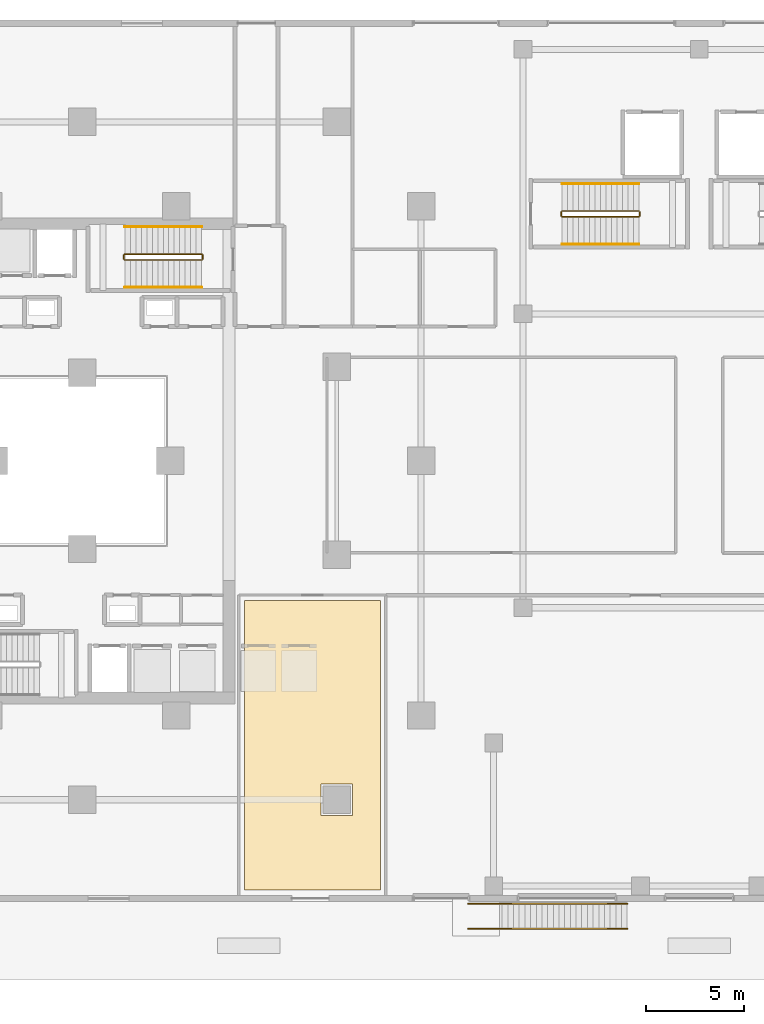
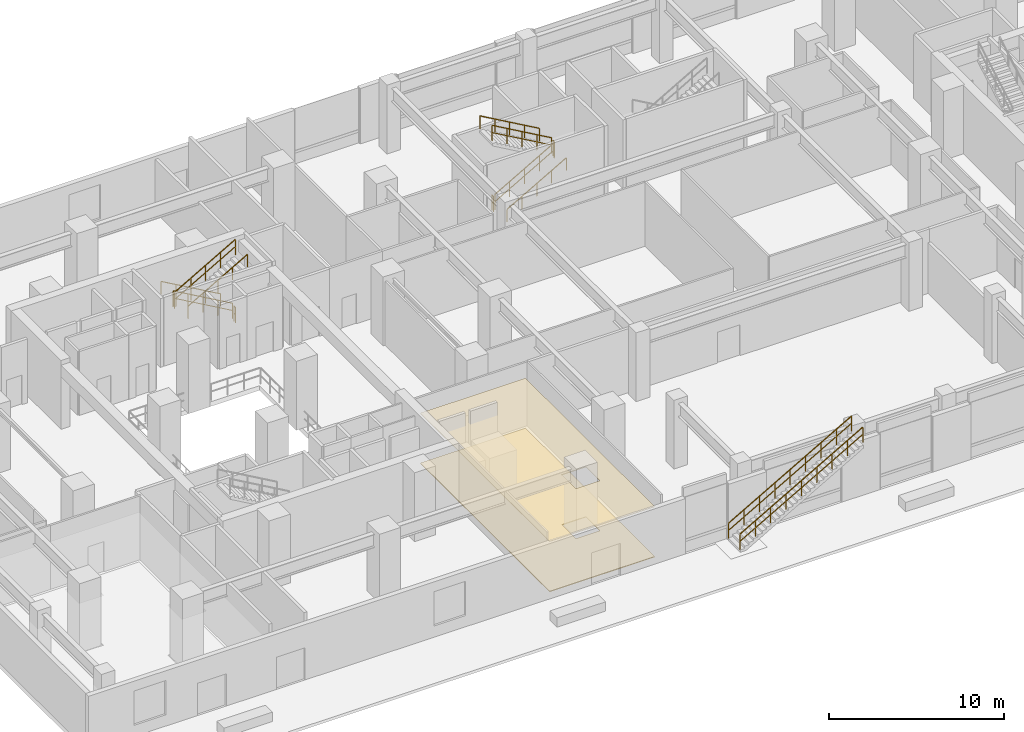
# One storey, part 21 of 24: 14 railings, 2 coverings.
"""IFC4 building model written with IfcOpenShell, lengths in metres."""

import ifcopenshell
import ifcopenshell.guid

model = None  # the IFC model being written
_history = None  # IfcOwnerHistory: only IFC2X3 demands one
_inside = {}  # id of a spatial element -> (the spatial element, [elements in it])
_under = {}  # id of a project, library or spatial element -> (it, [spatial elements below it])
_declared = {}  # id of a project -> (the project, [libraries it declares])
_typed = {}  # id of a type object -> (the type object, [elements of that type])
_made_of = {}  # id of a material, layer set ... -> (it, [elements and type objects made of it])


def new_model(schema):
    """Start an empty IFC model of exactly this schema.

    Asked for "IFC4X3", IfcOpenShell would pick the latest addendum, in which some entities
    have other attributes; the version numbers below select the first issue.
    IFC2X3 requires an IfcOwnerHistory on every rooted entity: one is made here for all.
    """
    global model, _history
    if schema == "IFC4X3":
        model = ifcopenshell.file(schema_version=(4, 3, 0, 0))
    else:
        model = ifcopenshell.file(schema=schema)
    _inside.clear()
    _under.clear()
    _declared.clear()
    _typed.clear()
    _made_of.clear()
    _history = None
    if model.schema == "IFC2X3":
        org = make("IfcOrganization", Name="unknown")
        user = make(
            "IfcPersonAndOrganization",
            ThePerson=make("IfcPerson", FamilyName="unknown"),
            TheOrganization=org,
        )
        app = make(
            "IfcApplication",
            ApplicationDeveloper=org,
            Version="unknown",
            ApplicationFullName="unknown",
            ApplicationIdentifier="unknown",
        )
        _history = make(
            "IfcOwnerHistory",
            OwningUser=user,
            OwningApplication=app,
            ChangeAction="ADDED",
            CreationDate=0,
        )
    return model


def make(cls, **values):
    """One entity of the class cls with the attributes given. An attribute that is None is left unset."""
    return model.create_entity(
        cls, **{name: value for name, value in values.items() if value is not None}
    )


def rooted(cls, **values):
    """An entity with a GlobalId (a new one), such as an element, a storey or a relation."""
    return make(cls, GlobalId=ifcopenshell.guid.new(), OwnerHistory=_history, **values)


def si_unit(unit_type, name, prefix=None):
    """IfcSIUnit, for example si_unit("LENGTHUNIT", "METRE", prefix="MILLI")."""
    return make("IfcSIUnit", UnitType=unit_type, Prefix=prefix, Name=name)


def assignment(units):
    """IfcUnitAssignment: the units of a project."""
    return None if units is None else make("IfcUnitAssignment", Units=units)


def point(xyz):
    """IfcCartesianPoint."""
    return None if xyz is None else make("IfcCartesianPoint", Coordinates=xyz)


def direction(xyz):
    """IfcDirection."""
    return None if xyz is None else make("IfcDirection", DirectionRatios=xyz)


def frame(location, z_axis=None, x_axis=None):
    """IfcAxis2Placement3D, a coordinate frame: its origin and axes. An axis left out is left unset."""
    return make(
        "IfcAxis2Placement3D",
        Location=point(location),
        Axis=direction(z_axis),
        RefDirection=direction(x_axis),
    )


def frame_2d(location, x_axis=None):
    """IfcAxis2Placement2D, a coordinate frame in the plane: its origin and x axis."""
    return make(
        "IfcAxis2Placement2D", Location=point(location), RefDirection=direction(x_axis)
    )


def origin():
    """The frame at (0, 0, 0) with its axes left unset."""
    return frame((0.0, 0.0, 0.0))


def origin_2d():
    """The frame at (0, 0) in the plane with its x axis left unset."""
    return frame_2d((0.0, 0.0))


def place(relative_to, where):
    """IfcLocalPlacement: puts the frame where relative to a parent placement (None: the world)."""
    return make(
        "IfcLocalPlacement", PlacementRelTo=relative_to, RelativePlacement=where
    )


def context(
    kind, dimensions, precision=None, world=None, true_north=None, identifier=None
):
    """IfcGeometricRepresentationContext, for example the 3D "Model" context."""
    return make(
        "IfcGeometricRepresentationContext",
        ContextIdentifier=identifier,
        ContextType=kind,
        CoordinateSpaceDimension=dimensions,
        Precision=precision,
        WorldCoordinateSystem=world,
        TrueNorth=true_north,
    )


def subcontext(parent, identifier, kind, view, scale=None):
    """IfcGeometricRepresentationSubContext, for example "Body" below "Model"."""
    return make(
        "IfcGeometricRepresentationSubContext",
        ContextIdentifier=identifier,
        ContextType=kind,
        ParentContext=parent,
        TargetScale=scale,
        TargetView=view,
    )


def project(units=None, contexts=None):
    """IfcProject with its units and contexts."""
    return rooted(
        "IfcProject",
        Name="project",
        RepresentationContexts=contexts,
        UnitsInContext=assignment(units),
    )


def spatial(cls, under=None, at=None, **own):
    """A site, building, storey or space (cls), placed at a placement, below another one or the project."""
    s = rooted(cls, ObjectPlacement=at, **own)
    if under is not None:
        _under.setdefault(under.id(), (under, []))[1].append(s)
    return s


def polyline(points):
    """IfcPolyline through the points."""
    return make("IfcPolyline", Points=[point(p) for p in points])


def profile(cls, at=None, kind="AREA", **sizes):
    """A parametric profile (cls). Its sizes go by their IFC names, for example OverallWidth=200.0."""
    return make(cls, ProfileType=kind, Position=at, **sizes)


def rectangle(**sizes):
    """IfcRectangleProfileDef."""
    return profile("IfcRectangleProfileDef", **sizes)


def outline(outer, holes=None, kind="AREA"):
    """IfcArbitraryClosedProfileDef: a profile drawn as a closed curve; with holes, ...WithVoids."""
    if holes is None:
        return make("IfcArbitraryClosedProfileDef", ProfileType=kind, OuterCurve=outer)
    return make(
        "IfcArbitraryProfileDefWithVoids",
        ProfileType=kind,
        OuterCurve=outer,
        InnerCurves=holes,
    )


def extrude(swept, where, along, depth):
    """IfcExtrudedAreaSolid: the profile swept, set in the frame where, extruded along a direction by depth."""
    return make(
        "IfcExtrudedAreaSolid",
        SweptArea=swept,
        Position=where,
        ExtrudedDirection=direction(along),
        Depth=depth,
    )


def shape(context_of_items, identifier, shape_type, items):
    """IfcShapeRepresentation: the items that make up one representation, for example the "Body"."""
    return make(
        "IfcShapeRepresentation",
        ContextOfItems=context_of_items,
        RepresentationIdentifier=identifier,
        RepresentationType=shape_type,
        Items=items,
    )


def material(Name=None, Category=None):
    """IfcMaterial."""
    return make("IfcMaterial", Name=Name, Category=Category)


def layer(
    of_material, thickness, ventilated=None, Name=None, Category=None, Priority=None
):
    """IfcMaterialLayer: one layer of a wall or slab, of a material (None: an air gap)."""
    return make(
        "IfcMaterialLayer",
        Material=of_material,
        LayerThickness=thickness,
        IsVentilated=ventilated,
        Name=Name,
        Category=Category,
        Priority=Priority,
    )


def layer_set(layers, Name=None):
    """IfcMaterialLayerSet."""
    return make("IfcMaterialLayerSet", MaterialLayers=layers, LayerSetName=Name)


def made_of(thing, what):
    """Note that an element or type object is made of a material, layer set ...; save() writes the relation."""
    if what is not None:
        _made_of.setdefault(what.id(), (what, []))[1].append(thing)
    return thing


def type_object(cls, material=None, **own):
    """A type object (cls), such as IfcWallType, which elements share."""
    return made_of(rooted(cls, **own), material)


def element(
    cls,
    number,
    at=None,
    inside=None,
    cuts=None,
    type_object=None,
    material=None,
    context=None,
    identifier="Body",
    shape_type=None,
    held_by="IfcProductDefinitionShape",
    body=None,
    shapes=None,
    **own,
):
    """One element of the class cls, such as IfcWall. Its Tag is "e" and its number.

    at: its placement. inside: the storey or other place that contains it. cuts: it is an
    opening in that element (IfcRelVoidsElement). A single representation is given by context,
    identifier, shape_type and body (its items); several are given by shapes. held_by: the class
    of the entity that holds the representations. save() writes the other relations.
    """
    e = rooted(cls, Tag="e%d" % number, ObjectPlacement=at, **own)
    if body is not None:
        shapes = [shape(context, identifier, shape_type, body)]
    if shapes is not None:
        e.Representation = make(held_by, Representations=shapes)
    if inside is not None:
        _inside.setdefault(inside.id(), (inside, []))[1].append(e)
    if cuts is not None:
        rooted(
            "IfcRelVoidsElement", RelatingBuildingElement=cuts, RelatedOpeningElement=e
        )
    if type_object is not None:
        _typed.setdefault(type_object.id(), (type_object, []))[1].append(e)
    return made_of(e, material)


def aggregate(whole, parts):
    """IfcRelAggregates: a whole, such as a stair, and the parts it consists of."""
    return rooted("IfcRelAggregates", RelatingObject=whole, RelatedObjects=parts)


def save(model, path):
    """Write the relations noted so far, then the file.

    IfcRelAggregates (storeys below a building ...), IfcRelContainedInSpatialStructure (elements
    in a storey), IfcRelDefinesByType, IfcRelAssociatesMaterial and IfcRelDeclares: one each for
    every whole, place, type object, material and project.
    """
    for whole, parts in _under.values():
        aggregate(whole, parts)
    for where, things in _inside.values():
        rooted(
            "IfcRelContainedInSpatialStructure",
            RelatedElements=things,
            RelatingStructure=where,
        )
    for kind, things in _typed.values():
        rooted("IfcRelDefinesByType", RelatedObjects=things, RelatingType=kind)
    for what, things in _made_of.values():
        rooted("IfcRelAssociatesMaterial", RelatedObjects=things, RelatingMaterial=what)
    for by, libraries in _declared.values():
        rooted("IfcRelDeclares", RelatingContext=by, RelatedDefinitions=libraries)
    model.write(path)


model = new_model("IFC4")

# Units and contexts
model_context = context("Model", 3, precision=1e-05, world=origin(), true_north=direction((0.0, 1.0)))
body_context = subcontext(model_context, "Body", "Model", "MODEL_VIEW")
ifc_project = project(units=[si_unit("LENGTHUNIT", "METRE"), si_unit("AREAUNIT", "SQUARE_METRE"), si_unit("VOLUMEUNIT", "CUBIC_METRE"), si_unit("PLANEANGLEUNIT", "RADIAN"), si_unit("MASSUNIT", "GRAM", prefix="KILO")], contexts=[model_context])

# Site, building, storey
site_placement = place(None, origin())
site = spatial("IfcSite", under=ifc_project, at=site_placement, CompositionType="ELEMENT")
building_placement = place(site_placement, origin())
building = spatial("IfcBuilding", under=site, at=building_placement, Name="Thornwick Lancets Civic Towers", CompositionType="ELEMENT")
storey_placement = place(building_placement, origin())
storey = spatial("IfcBuildingStorey", under=building, at=storey_placement, Name="L00", CompositionType="ELEMENT", Elevation=0.0)

# Coverings
ifc_material_1 = material(Name="Perforated mineral acoustic ceiling tile")
ifc_layer_1 = layer(ifc_material_1, 0.0400390625, Name="Perforated mineral acoustic ceiling tile")
ifc_layer_set_1 = layer_set([ifc_layer_1], Name="Perforated mineral acoustic ceiling tile")
covering_type_1 = type_object("IfcCoveringType", Name="COV_CEIL_ACOUSTIC", PredefinedType="CEILING", material=ifc_layer_set_1)
covering_1_placement = place(storey_placement, frame((0.0, 0.0, 3.498291015625)))
element("IfcCovering", 1, at=covering_1_placement, inside=storey, type_object=covering_type_1, Name="Civic Security Screening Vestibule Ceiling", PredefinedType="CEILING", context=body_context, shape_type="SweptSolid", body=[
    extrude(outline(polyline([(40.719970703125, 5.10009765625), (33.780029296875, 5.10009765625), (33.780029296875, 19.8701171875), (40.719970703125, 19.8701171875), (40.719970703125, 5.10009765625)]), holes=[polyline([(37.699951171875, 8.89990234375), (39.300048828125, 8.89990234375), (39.300048828125, 10.5), (37.699951171875, 10.5), (37.699951171875, 8.89990234375)])]), origin(), (0.0, 0.0, 1.0), 0.0400390625),
])
ifc_material_2 = material(Name="Calcium-sulfate raised access floor panel")
ifc_layer_2 = layer(ifc_material_2, 0.050048828125, Name="Calcium-sulfate raised access floor panel")
ifc_layer_set_2 = layer_set([ifc_layer_2], Name="Calcium-sulfate raised access floor panel")
covering_type_2 = type_object("IfcCoveringType", Name="COV_FLOOR_RAISED", PredefinedType="FLOORING", material=ifc_layer_set_2)
covering_2_placement = place(storey_placement, origin())
element("IfcCovering", 2, at=covering_2_placement, inside=storey, type_object=covering_type_2, Name="Civic Security Screening Vestibule Raised Access Flooring", PredefinedType="FLOORING", context=body_context, shape_type="SweptSolid", body=[
    extrude(outline(polyline([(40.719970703125, 5.10009765625), (33.780029296875, 5.10009765625), (33.780029296875, 19.8701171875), (40.719970703125, 19.8701171875), (40.719970703125, 5.10009765625)]), holes=[polyline([(37.699951171875, 8.89990234375), (39.300048828125, 8.89990234375), (39.300048828125, 10.5), (37.699951171875, 10.5), (37.699951171875, 8.89990234375)])]), origin(), (0.0, 0.0, 1.0), 0.050048828125),
])

# Railings
ifc_material_3 = material(Name="Brushed stainless steel S355", Category="steel")
railing_type_1 = type_object("IfcRailingType", Name="RAIL_HANDRAIL", PredefinedType="HANDRAIL", material=ifc_material_3)
railing_1_placement = place(storey_placement, frame((31.60009765625, 38.949951171875, 0.159912109375)))
element("IfcRailing", 3, at=railing_1_placement, inside=storey, type_object=railing_type_1, Name="L00 ST-A2 stair handrail 1", PredefinedType="HANDRAIL", context=body_context, shape_type="SweptSolid", body=[
    extrude(rectangle(XDim=0.048095703125, YDim=0.048095703125, at=origin_2d()), frame((0.0, 0.0, 0.8857421875), z_axis=(-0.86825312469, 0.0, 0.496121468458), x_axis=(0.0, -1.0, 0.0)), (0.0, 0.0, 1.0), 4.514892578125),
    extrude(rectangle(XDim=0.0419921875, YDim=0.0419921875, at=origin_2d()), origin(), (0.0, 0.0, 1.0), 0.855712890625),
    extrude(rectangle(XDim=0.0419921875, YDim=0.0419921875, at=origin_2d()), frame((-0.97998046875, 0.0, 0.56005859375)), (0.0, 0.0, 1.0), 0.855712890625),
    extrude(rectangle(XDim=0.0419921875, YDim=0.0419921875, at=origin_2d()), frame((-1.9599609375, 0.0, 1.1201171875)), (0.0, 0.0, 1.0), 0.855712890625),
    extrude(rectangle(XDim=0.0419921875, YDim=0.0419921875, at=origin_2d()), frame((-2.940185546875, 0.0, 1.679931640625)), (0.0, 0.0, 1.0), 0.855712890625),
    extrude(rectangle(XDim=0.0419921875, YDim=0.0419921875, at=origin_2d()), frame((-3.920166015625, 0.0, 2.239990234375)), (0.0, 0.0, 1.0), 0.855712890625),
])
railing_2_placement = place(storey_placement, frame((27.679931640625, 35.85009765625, 2.56005859375)))
element("IfcRailing", 4, at=railing_2_placement, inside=storey, type_object=railing_type_1, Name="L00 ST-A2 stair handrail 2", PredefinedType="HANDRAIL", context=body_context, shape_type="SweptSolid", body=[
    extrude(rectangle(XDim=0.048095703125, YDim=0.048095703125, at=origin_2d()), frame((0.0, 0.0, 0.8857421875), z_axis=(0.86825312469, 0.0, 0.496121468458), x_axis=(0.0, 1.0, 0.0)), (0.0, 0.0, 1.0), 4.514892578125),
    extrude(rectangle(XDim=0.0419921875, YDim=0.0419921875, at=origin_2d()), origin(), (0.0, 0.0, 1.0), 0.855712890625),
    extrude(rectangle(XDim=0.0419921875, YDim=0.0419921875, at=origin_2d()), frame((0.97998046875, 0.0, 0.56005859375)), (0.0, 0.0, 1.0), 0.855712890625),
    extrude(rectangle(XDim=0.0419921875, YDim=0.0419921875, at=origin_2d()), frame((1.9599609375, 0.0, 1.1201171875)), (0.0, 0.0, 1.0), 0.855712890625),
    extrude(rectangle(XDim=0.0419921875, YDim=0.0419921875, at=origin_2d()), frame((2.940185546875, 0.0, 1.679931640625)), (0.0, 0.0, 1.0), 0.855712890625),
    extrude(rectangle(XDim=0.0419921875, YDim=0.0419921875, at=origin_2d()), frame((3.920166015625, 0.0, 2.239990234375)), (0.0, 0.0, 1.0), 0.855712890625),
])
railing_3_placement = place(storey_placement, frame((50.0, 38.050048828125, 0.159912109375)))
element("IfcRailing", 5, at=railing_3_placement, inside=storey, type_object=railing_type_1, Name="L00 ST-P5 stair handrail 1", PredefinedType="HANDRAIL", context=body_context, shape_type="SweptSolid", body=[
    extrude(rectangle(XDim=0.048095703125, YDim=0.048095703125, at=origin_2d()), frame((0.0, 0.0, 0.8857421875), z_axis=(0.868239814368, 0.0, 0.496144761885), x_axis=(0.0, 1.0, 0.0)), (0.0, 0.0, 1.0), 4.514892578125),
    extrude(rectangle(XDim=0.0419921875, YDim=0.0419921875, at=origin_2d()), origin(), (0.0, 0.0, 1.0), 0.855712890625),
    extrude(rectangle(XDim=0.0419921875, YDim=0.0419921875, at=origin_2d()), frame((0.97998046875, 0.0, 0.56005859375)), (0.0, 0.0, 1.0), 0.855712890625),
    extrude(rectangle(XDim=0.0419921875, YDim=0.0419921875, at=origin_2d()), frame((1.9599609375, 0.0, 1.1201171875)), (0.0, 0.0, 1.0), 0.855712890625),
    extrude(rectangle(XDim=0.0419921875, YDim=0.0419921875, at=origin_2d()), frame((2.93994140625, 0.0, 1.679931640625)), (0.0, 0.0, 1.0), 0.855712890625),
    extrude(rectangle(XDim=0.0419921875, YDim=0.0419921875, at=origin_2d()), frame((3.919921875, 0.0, 2.239990234375)), (0.0, 0.0, 1.0), 0.855712890625),
])
railing_4_placement = place(storey_placement, frame((53.919921875, 41.14990234375, 2.56005859375)))
element("IfcRailing", 6, at=railing_4_placement, inside=storey, type_object=railing_type_1, Name="L00 ST-P5 stair handrail 2", PredefinedType="HANDRAIL", context=body_context, shape_type="SweptSolid", body=[
    extrude(rectangle(XDim=0.048095703125, YDim=0.048095703125, at=origin_2d()), frame((0.0, 0.0, 0.8857421875), z_axis=(-0.868239814368, 0.0, 0.496144761885), x_axis=(0.0, -1.0, 0.0)), (0.0, 0.0, 1.0), 4.514892578125),
    extrude(rectangle(XDim=0.0419921875, YDim=0.0419921875, at=origin_2d()), origin(), (0.0, 0.0, 1.0), 0.855712890625),
    extrude(rectangle(XDim=0.0419921875, YDim=0.0419921875, at=origin_2d()), frame((-0.97998046875, 0.0, 0.56005859375)), (0.0, 0.0, 1.0), 0.855712890625),
    extrude(rectangle(XDim=0.0419921875, YDim=0.0419921875, at=origin_2d()), frame((-1.9599609375, 0.0, 1.1201171875)), (0.0, 0.0, 1.0), 0.855712890625),
    extrude(rectangle(XDim=0.0419921875, YDim=0.0419921875, at=origin_2d()), frame((-2.93994140625, 0.0, 1.679931640625)), (0.0, 0.0, 1.0), 0.855712890625),
    extrude(rectangle(XDim=0.0419921875, YDim=0.0419921875, at=origin_2d()), frame((-3.919921875, 0.0, 2.239990234375)), (0.0, 0.0, 1.0), 0.855712890625),
])
ifc_material_4 = material(Name="Steel S355JR", Category="steel")
railing_type_2 = type_object("IfcRailingType", Name="RAIL_STAIR_GUARD", PredefinedType="GUARDRAIL", material=ifc_material_4)
railing_5_placement = place(storey_placement, frame((31.60009765625, 37.550048828125, 0.159912109375)))
element("IfcRailing", 7, at=railing_5_placement, inside=storey, type_object=railing_type_2, Name="L00 ST-A2 stair guard 1", PredefinedType="GUARDRAIL", context=body_context, shape_type="SweptSolid", body=[
    extrude(rectangle(XDim=0.048095703125, YDim=0.048095703125, at=origin_2d()), frame((0.0, 0.0, 1.076171875), z_axis=(-0.86825312469, 0.0, 0.496121468458), x_axis=(0.0, -1.0, 0.0)), (0.0, 0.0, 1.0), 4.514892578125),
    extrude(rectangle(XDim=0.0419921875, YDim=0.0419921875, at=origin_2d()), frame((-0.032470703125, 0.0, 0.590576171875), z_axis=(-0.86825312469, 0.0, 0.496121468458), x_axis=(0.0, -1.0, 0.0)), (0.0, 0.0, 1.0), 1.0537109375),
    extrude(rectangle(XDim=0.0419921875, YDim=0.0419921875, at=origin_2d()), frame((-1.0126953125, 0.0, 1.150634765625), z_axis=(-0.86825312469, 0.0, 0.496121468458), x_axis=(0.0, -1.0, 0.0)), (0.0, 0.0, 1.0), 1.0537109375),
    extrude(rectangle(XDim=0.0419921875, YDim=0.0419921875, at=origin_2d()), frame((-1.99267578125, 0.0, 1.710693359375), z_axis=(-0.86825312469, 0.0, 0.496121468458), x_axis=(0.0, -1.0, 0.0)), (0.0, 0.0, 1.0), 1.0537109375),
    extrude(rectangle(XDim=0.0419921875, YDim=0.0419921875, at=origin_2d()), frame((-2.97265625, 0.0, 2.270751953125), z_axis=(-0.86825312469, 0.0, 0.496121468458), x_axis=(0.0, -1.0, 0.0)), (0.0, 0.0, 1.0), 1.0537109375),
    extrude(rectangle(XDim=0.0419921875, YDim=0.0419921875, at=origin_2d()), origin(), (0.0, 0.0, 1.0), 1.0458984375),
    extrude(rectangle(XDim=0.0419921875, YDim=0.0419921875, at=origin_2d()), frame((-0.97998046875, 0.0, 0.56005859375)), (0.0, 0.0, 1.0), 1.0458984375),
    extrude(rectangle(XDim=0.0419921875, YDim=0.0419921875, at=origin_2d()), frame((-1.9599609375, 0.0, 1.1201171875)), (0.0, 0.0, 1.0), 1.0458984375),
    extrude(rectangle(XDim=0.0419921875, YDim=0.0419921875, at=origin_2d()), frame((-2.940185546875, 0.0, 1.679931640625)), (0.0, 0.0, 1.0), 1.0458984375),
    extrude(rectangle(XDim=0.0419921875, YDim=0.0419921875, at=origin_2d()), frame((-3.920166015625, 0.0, 2.239990234375)), (0.0, 0.0, 1.0), 1.0458984375),
])
railing_6_placement = place(storey_placement, frame((27.6298828125, 37.5, 2.39990234375)))
element("IfcRailing", 8, at=railing_6_placement, inside=storey, type_object=railing_type_2, Name="L00 ST-A2 stair guard 2", PredefinedType="GUARDRAIL", context=body_context, shape_type="SweptSolid", body=[
    extrude(rectangle(XDim=0.048095703125, YDim=0.048095703125, at=origin_2d()), frame((0.0, 0.0, 1.076171875), z_axis=(0.0, -1.0, 0.0), x_axis=(1.0, 0.0, 0.0)), (0.0, 0.0, 1.0), 0.199951171875),
    extrude(rectangle(XDim=0.0419921875, YDim=0.0419921875, at=origin_2d()), frame((0.0, -0.03759765625, 0.572021484375), z_axis=(0.0, -1.0, 0.0), x_axis=(1.0, 0.0, 0.0)), (0.0, 0.0, 1.0), 0.125),
    extrude(rectangle(XDim=0.0419921875, YDim=0.0419921875, at=origin_2d()), origin(), (0.0, 0.0, 1.0), 1.0458984375),
    extrude(rectangle(XDim=0.0419921875, YDim=0.0419921875, at=origin_2d()), frame((0.0, -0.199951171875, 0.0)), (0.0, 0.0, 1.0), 1.0458984375),
])
railing_7_placement = place(storey_placement, frame((27.679931640625, 37.25, 2.56005859375)))
element("IfcRailing", 9, at=railing_7_placement, inside=storey, type_object=railing_type_2, Name="L00 ST-A2 stair guard 3", PredefinedType="GUARDRAIL", context=body_context, shape_type="SweptSolid", body=[
    extrude(rectangle(XDim=0.048095703125, YDim=0.048095703125, at=origin_2d()), frame((0.0, 0.0, 1.076171875), z_axis=(0.86825312469, 0.0, 0.496121468458), x_axis=(0.0, 1.0, 0.0)), (0.0, 0.0, 1.0), 4.514892578125),
    extrude(rectangle(XDim=0.0419921875, YDim=0.0419921875, at=origin_2d()), frame((0.032470703125, 0.0, 0.590576171875), z_axis=(0.86825312469, 0.0, 0.496121468458), x_axis=(0.0, 1.0, 0.0)), (0.0, 0.0, 1.0), 1.0537109375),
    extrude(rectangle(XDim=0.0419921875, YDim=0.0419921875, at=origin_2d()), frame((1.0126953125, 0.0, 1.150634765625), z_axis=(0.86825312469, 0.0, 0.496121468458), x_axis=(0.0, 1.0, 0.0)), (0.0, 0.0, 1.0), 1.0537109375),
    extrude(rectangle(XDim=0.0419921875, YDim=0.0419921875, at=origin_2d()), frame((1.99267578125, 0.0, 1.710693359375), z_axis=(0.86825312469, 0.0, 0.496121468458), x_axis=(0.0, 1.0, 0.0)), (0.0, 0.0, 1.0), 1.0537109375),
    extrude(rectangle(XDim=0.0419921875, YDim=0.0419921875, at=origin_2d()), frame((2.97265625, 0.0, 2.270751953125), z_axis=(0.86825312469, 0.0, 0.496121468458), x_axis=(0.0, 1.0, 0.0)), (0.0, 0.0, 1.0), 1.0537109375),
    extrude(rectangle(XDim=0.0419921875, YDim=0.0419921875, at=origin_2d()), origin(), (0.0, 0.0, 1.0), 1.0458984375),
    extrude(rectangle(XDim=0.0419921875, YDim=0.0419921875, at=origin_2d()), frame((0.97998046875, 0.0, 0.56005859375)), (0.0, 0.0, 1.0), 1.0458984375),
    extrude(rectangle(XDim=0.0419921875, YDim=0.0419921875, at=origin_2d()), frame((1.9599609375, 0.0, 1.1201171875)), (0.0, 0.0, 1.0), 1.0458984375),
    extrude(rectangle(XDim=0.0419921875, YDim=0.0419921875, at=origin_2d()), frame((2.940185546875, 0.0, 1.679931640625)), (0.0, 0.0, 1.0), 1.0458984375),
    extrude(rectangle(XDim=0.0419921875, YDim=0.0419921875, at=origin_2d()), frame((3.920166015625, 0.0, 2.239990234375)), (0.0, 0.0, 1.0), 1.0458984375),
])
railing_8_placement = place(storey_placement, frame((31.64990234375, 37.5, 0.0)))
element("IfcRailing", 10, at=railing_8_placement, inside=storey, type_object=railing_type_2, Name="L00 ST-A2 stair guard 4", PredefinedType="GUARDRAIL", context=body_context, shape_type="SweptSolid", body=[
    extrude(rectangle(XDim=0.048095703125, YDim=0.048095703125, at=origin_2d()), frame((0.0, 0.0, 1.076171875), z_axis=(0.0, -1.0, 0.0), x_axis=(1.0, 0.0, 0.0)), (0.0, 0.0, 1.0), 0.199951171875),
    extrude(rectangle(XDim=0.0419921875, YDim=0.0419921875, at=origin_2d()), frame((0.0, -0.03759765625, 0.572021484375), z_axis=(0.0, -1.0, 0.0), x_axis=(1.0, 0.0, 0.0)), (0.0, 0.0, 1.0), 0.125),
    extrude(rectangle(XDim=0.0419921875, YDim=0.0419921875, at=origin_2d()), origin(), (0.0, 0.0, 1.0), 1.0458984375),
    extrude(rectangle(XDim=0.0419921875, YDim=0.0419921875, at=origin_2d()), frame((0.0, -0.199951171875, 0.0)), (0.0, 0.0, 1.0), 1.0458984375),
])
railing_9_placement = place(storey_placement, frame((50.0, 39.449951171875, 0.159912109375)))
element("IfcRailing", 11, at=railing_9_placement, inside=storey, type_object=railing_type_2, Name="L00 ST-P5 stair guard 1", PredefinedType="GUARDRAIL", context=body_context, shape_type="SweptSolid", body=[
    extrude(rectangle(XDim=0.048095703125, YDim=0.048095703125, at=origin_2d()), frame((0.0, 0.0, 1.076171875), z_axis=(0.868239814368, 0.0, 0.496144761885), x_axis=(0.0, 1.0, 0.0)), (0.0, 0.0, 1.0), 4.514892578125),
    extrude(rectangle(XDim=0.0419921875, YDim=0.0419921875, at=origin_2d()), frame((0.032470703125, 0.0, 0.590576171875), z_axis=(0.868239814368, 0.0, 0.496144761885), x_axis=(0.0, 1.0, 0.0)), (0.0, 0.0, 1.0), 1.0537109375),
    extrude(rectangle(XDim=0.0419921875, YDim=0.0419921875, at=origin_2d()), frame((1.012451171875, 0.0, 1.150634765625), z_axis=(0.868239814368, 0.0, 0.496144761885), x_axis=(0.0, 1.0, 0.0)), (0.0, 0.0, 1.0), 1.0537109375),
    extrude(rectangle(XDim=0.0419921875, YDim=0.0419921875, at=origin_2d()), frame((1.992431640625, 0.0, 1.710693359375), z_axis=(0.868239814368, 0.0, 0.496144761885), x_axis=(0.0, 1.0, 0.0)), (0.0, 0.0, 1.0), 1.0537109375),
    extrude(rectangle(XDim=0.0419921875, YDim=0.0419921875, at=origin_2d()), frame((2.972412109375, 0.0, 2.270751953125), z_axis=(0.868239814368, 0.0, 0.496144761885), x_axis=(0.0, 1.0, 0.0)), (0.0, 0.0, 1.0), 1.0537109375),
    extrude(rectangle(XDim=0.0419921875, YDim=0.0419921875, at=origin_2d()), origin(), (0.0, 0.0, 1.0), 1.0458984375),
    extrude(rectangle(XDim=0.0419921875, YDim=0.0419921875, at=origin_2d()), frame((0.97998046875, 0.0, 0.56005859375)), (0.0, 0.0, 1.0), 1.0458984375),
    extrude(rectangle(XDim=0.0419921875, YDim=0.0419921875, at=origin_2d()), frame((1.9599609375, 0.0, 1.1201171875)), (0.0, 0.0, 1.0), 1.0458984375),
    extrude(rectangle(XDim=0.0419921875, YDim=0.0419921875, at=origin_2d()), frame((2.93994140625, 0.0, 1.679931640625)), (0.0, 0.0, 1.0), 1.0458984375),
    extrude(rectangle(XDim=0.0419921875, YDim=0.0419921875, at=origin_2d()), frame((3.919921875, 0.0, 2.239990234375)), (0.0, 0.0, 1.0), 1.0458984375),
])
railing_10_placement = place(storey_placement, frame((53.969970703125, 39.5, 2.39990234375)))
element("IfcRailing", 12, at=railing_10_placement, inside=storey, type_object=railing_type_2, Name="L00 ST-P5 stair guard 2", PredefinedType="GUARDRAIL", context=body_context, shape_type="SweptSolid", body=[
    extrude(rectangle(XDim=0.048095703125, YDim=0.048095703125, at=origin_2d()), frame((0.0, 0.0, 1.076171875), z_axis=(0.0, 1.0, 0.0), x_axis=(-1.0, 0.0, 0.0)), (0.0, 0.0, 1.0), 0.199951171875),
    extrude(rectangle(XDim=0.0419921875, YDim=0.0419921875, at=origin_2d()), frame((0.0, 0.03759765625, 0.572021484375), z_axis=(0.0, 1.0, 0.0), x_axis=(-1.0, 0.0, 0.0)), (0.0, 0.0, 1.0), 0.125),
    extrude(rectangle(XDim=0.0419921875, YDim=0.0419921875, at=origin_2d()), origin(), (0.0, 0.0, 1.0), 1.0458984375),
    extrude(rectangle(XDim=0.0419921875, YDim=0.0419921875, at=origin_2d()), frame((0.0, 0.199951171875, 0.0)), (0.0, 0.0, 1.0), 1.0458984375),
])
railing_11_placement = place(storey_placement, frame((53.919921875, 39.75, 2.56005859375)))
element("IfcRailing", 13, at=railing_11_placement, inside=storey, type_object=railing_type_2, Name="L00 ST-P5 stair guard 3", PredefinedType="GUARDRAIL", context=body_context, shape_type="SweptSolid", body=[
    extrude(rectangle(XDim=0.048095703125, YDim=0.048095703125, at=origin_2d()), frame((0.0, 0.0, 1.076171875), z_axis=(-0.868239814368, 0.0, 0.496144761885), x_axis=(0.0, -1.0, 0.0)), (0.0, 0.0, 1.0), 4.514892578125),
    extrude(rectangle(XDim=0.0419921875, YDim=0.0419921875, at=origin_2d()), frame((-0.032470703125, 0.0, 0.590576171875), z_axis=(-0.868239814368, 0.0, 0.496144761885), x_axis=(0.0, -1.0, 0.0)), (0.0, 0.0, 1.0), 1.0537109375),
    extrude(rectangle(XDim=0.0419921875, YDim=0.0419921875, at=origin_2d()), frame((-1.012451171875, 0.0, 1.150634765625), z_axis=(-0.868239814368, 0.0, 0.496144761885), x_axis=(0.0, -1.0, 0.0)), (0.0, 0.0, 1.0), 1.0537109375),
    extrude(rectangle(XDim=0.0419921875, YDim=0.0419921875, at=origin_2d()), frame((-1.992431640625, 0.0, 1.710693359375), z_axis=(-0.868239814368, 0.0, 0.496144761885), x_axis=(0.0, -1.0, 0.0)), (0.0, 0.0, 1.0), 1.0537109375),
    extrude(rectangle(XDim=0.0419921875, YDim=0.0419921875, at=origin_2d()), frame((-2.972412109375, 0.0, 2.270751953125), z_axis=(-0.868239814368, 0.0, 0.496144761885), x_axis=(0.0, -1.0, 0.0)), (0.0, 0.0, 1.0), 1.0537109375),
    extrude(rectangle(XDim=0.0419921875, YDim=0.0419921875, at=origin_2d()), origin(), (0.0, 0.0, 1.0), 1.0458984375),
    extrude(rectangle(XDim=0.0419921875, YDim=0.0419921875, at=origin_2d()), frame((-0.97998046875, 0.0, 0.56005859375)), (0.0, 0.0, 1.0), 1.0458984375),
    extrude(rectangle(XDim=0.0419921875, YDim=0.0419921875, at=origin_2d()), frame((-1.9599609375, 0.0, 1.1201171875)), (0.0, 0.0, 1.0), 1.0458984375),
    extrude(rectangle(XDim=0.0419921875, YDim=0.0419921875, at=origin_2d()), frame((-2.93994140625, 0.0, 1.679931640625)), (0.0, 0.0, 1.0), 1.0458984375),
    extrude(rectangle(XDim=0.0419921875, YDim=0.0419921875, at=origin_2d()), frame((-3.919921875, 0.0, 2.239990234375)), (0.0, 0.0, 1.0), 1.0458984375),
])
railing_12_placement = place(storey_placement, frame((49.949951171875, 39.5, 0.0)))
element("IfcRailing", 14, at=railing_12_placement, inside=storey, type_object=railing_type_2, Name="L00 ST-P5 stair guard 4", PredefinedType="GUARDRAIL", context=body_context, shape_type="SweptSolid", body=[
    extrude(rectangle(XDim=0.048095703125, YDim=0.048095703125, at=origin_2d()), frame((0.0, 0.0, 1.076171875), z_axis=(0.0, 1.0, 0.0), x_axis=(-1.0, 0.0, 0.0)), (0.0, 0.0, 1.0), 0.199951171875),
    extrude(rectangle(XDim=0.0419921875, YDim=0.0419921875, at=origin_2d()), frame((0.0, 0.03759765625, 0.572021484375), z_axis=(0.0, 1.0, 0.0), x_axis=(-1.0, 0.0, 0.0)), (0.0, 0.0, 1.0), 0.125),
    extrude(rectangle(XDim=0.0419921875, YDim=0.0419921875, at=origin_2d()), origin(), (0.0, 0.0, 1.0), 1.0458984375),
    extrude(rectangle(XDim=0.0419921875, YDim=0.0419921875, at=origin_2d()), frame((0.0, 0.199951171875, 0.0)), (0.0, 0.0, 1.0), 1.0458984375),
])
railing_13_placement = place(storey_placement, frame((45.199951171875, 3.1201171875, 0.16552734375)))
element("IfcRailing", 15, at=railing_13_placement, inside=storey, type_object=railing_type_2, Name="L00 Garden Stair Guard S", PredefinedType="GUARDRAIL", context=body_context, shape_type="SweptSolid", body=[
    extrude(rectangle(XDim=0.048095703125, YDim=0.048095703125, at=origin_2d()), frame((0.0, 0.0, 1.076171875), z_axis=(0.868498526816, 0.0, 0.495691747882), x_axis=(0.0, 1.0, 0.0)), (0.0, 0.0, 1.0), 9.349609375),
    extrude(rectangle(XDim=0.0419921875, YDim=0.0419921875, at=origin_2d()), frame((0.032470703125, 0.0, 0.590576171875), z_axis=(0.868498526816, 0.0, 0.495691747882), x_axis=(0.0, 1.0, 0.0)), (0.0, 0.0, 1.0), 1.09375),
    extrude(rectangle(XDim=0.0419921875, YDim=0.0419921875, at=origin_2d()), frame((1.047607421875, 0.0, 1.169921875), z_axis=(0.868498526816, 0.0, 0.495691747882), x_axis=(0.0, 1.0, 0.0)), (0.0, 0.0, 1.0), 1.09375),
    extrude(rectangle(XDim=0.0419921875, YDim=0.0419921875, at=origin_2d()), frame((2.0625, 0.0, 1.749267578125), z_axis=(0.868498526816, 0.0, 0.495691747882), x_axis=(0.0, 1.0, 0.0)), (0.0, 0.0, 1.0), 1.09375),
    extrude(rectangle(XDim=0.0419921875, YDim=0.0419921875, at=origin_2d()), frame((3.07763671875, 0.0, 2.32861328125), z_axis=(0.868498526816, 0.0, 0.495691747882), x_axis=(0.0, 1.0, 0.0)), (0.0, 0.0, 1.0), 1.09375),
    extrude(rectangle(XDim=0.0419921875, YDim=0.0419921875, at=origin_2d()), frame((4.092529296875, 0.0, 2.907958984375), z_axis=(0.868498526816, 0.0, 0.495691747882), x_axis=(0.0, 1.0, 0.0)), (0.0, 0.0, 1.0), 1.09375),
    extrude(rectangle(XDim=0.0419921875, YDim=0.0419921875, at=origin_2d()), frame((5.107666015625, 0.0, 3.4873046875), z_axis=(0.868498526816, 0.0, 0.495691747882), x_axis=(0.0, 1.0, 0.0)), (0.0, 0.0, 1.0), 1.09375),
    extrude(rectangle(XDim=0.0419921875, YDim=0.0419921875, at=origin_2d()), frame((6.12255859375, 0.0, 4.06640625), z_axis=(0.868498526816, 0.0, 0.495691747882), x_axis=(0.0, 1.0, 0.0)), (0.0, 0.0, 1.0), 1.09375),
    extrude(rectangle(XDim=0.0419921875, YDim=0.0419921875, at=origin_2d()), frame((7.1376953125, 0.0, 4.645751953125), z_axis=(0.868498526816, 0.0, 0.495691747882), x_axis=(0.0, 1.0, 0.0)), (0.0, 0.0, 1.0), 1.09375),
    extrude(rectangle(XDim=0.0419921875, YDim=0.0419921875, at=origin_2d()), origin(), (0.0, 0.0, 1.0), 1.0458984375),
    extrude(rectangle(XDim=0.0419921875, YDim=0.0419921875, at=origin_2d()), frame((1.01513671875, 0.0, 0.579345703125)), (0.0, 0.0, 1.0), 1.0458984375),
    extrude(rectangle(XDim=0.0419921875, YDim=0.0419921875, at=origin_2d()), frame((2.030029296875, 0.0, 1.15869140625)), (0.0, 0.0, 1.0), 1.0458984375),
    extrude(rectangle(XDim=0.0419921875, YDim=0.0419921875, at=origin_2d()), frame((3.044921875, 0.0, 1.738037109375)), (0.0, 0.0, 1.0), 1.0458984375),
    extrude(rectangle(XDim=0.0419921875, YDim=0.0419921875, at=origin_2d()), frame((4.06005859375, 0.0, 2.3173828125)), (0.0, 0.0, 1.0), 1.0458984375),
    extrude(rectangle(XDim=0.0419921875, YDim=0.0419921875, at=origin_2d()), frame((5.0751953125, 0.0, 2.896484375)), (0.0, 0.0, 1.0), 1.0458984375),
    extrude(rectangle(XDim=0.0419921875, YDim=0.0419921875, at=origin_2d()), frame((6.090087890625, 0.0, 3.475830078125)), (0.0, 0.0, 1.0), 1.0458984375),
    extrude(rectangle(XDim=0.0419921875, YDim=0.0419921875, at=origin_2d()), frame((7.10498046875, 0.0, 4.05517578125)), (0.0, 0.0, 1.0), 1.0458984375),
    extrude(rectangle(XDim=0.0419921875, YDim=0.0419921875, at=origin_2d()), frame((8.1201171875, 0.0, 4.634521484375)), (0.0, 0.0, 1.0), 1.0458984375),
])
railing_14_placement = place(storey_placement, frame((45.199951171875, 4.39990234375, 0.16552734375)))
element("IfcRailing", 16, at=railing_14_placement, inside=storey, type_object=railing_type_2, Name="L00 Garden Stair Guard N", PredefinedType="GUARDRAIL", context=body_context, shape_type="SweptSolid", body=[
    extrude(rectangle(XDim=0.048095703125, YDim=0.048095703125, at=origin_2d()), frame((0.0, 0.0, 1.076171875), z_axis=(0.868498526816, 0.0, 0.495691747882), x_axis=(0.0, 1.0, 0.0)), (0.0, 0.0, 1.0), 9.349609375),
    extrude(rectangle(XDim=0.0419921875, YDim=0.0419921875, at=origin_2d()), frame((0.032470703125, 0.0, 0.590576171875), z_axis=(0.868498526816, 0.0, 0.495691747882), x_axis=(0.0, 1.0, 0.0)), (0.0, 0.0, 1.0), 1.09375),
    extrude(rectangle(XDim=0.0419921875, YDim=0.0419921875, at=origin_2d()), frame((1.047607421875, 0.0, 1.169921875), z_axis=(0.868498526816, 0.0, 0.495691747882), x_axis=(0.0, 1.0, 0.0)), (0.0, 0.0, 1.0), 1.09375),
    extrude(rectangle(XDim=0.0419921875, YDim=0.0419921875, at=origin_2d()), frame((2.0625, 0.0, 1.749267578125), z_axis=(0.868498526816, 0.0, 0.495691747882), x_axis=(0.0, 1.0, 0.0)), (0.0, 0.0, 1.0), 1.09375),
    extrude(rectangle(XDim=0.0419921875, YDim=0.0419921875, at=origin_2d()), frame((3.07763671875, 0.0, 2.32861328125), z_axis=(0.868498526816, 0.0, 0.495691747882), x_axis=(0.0, 1.0, 0.0)), (0.0, 0.0, 1.0), 1.09375),
    extrude(rectangle(XDim=0.0419921875, YDim=0.0419921875, at=origin_2d()), frame((4.092529296875, 0.0, 2.907958984375), z_axis=(0.868498526816, 0.0, 0.495691747882), x_axis=(0.0, 1.0, 0.0)), (0.0, 0.0, 1.0), 1.09375),
    extrude(rectangle(XDim=0.0419921875, YDim=0.0419921875, at=origin_2d()), frame((5.107666015625, 0.0, 3.4873046875), z_axis=(0.868498526816, 0.0, 0.495691747882), x_axis=(0.0, 1.0, 0.0)), (0.0, 0.0, 1.0), 1.09375),
    extrude(rectangle(XDim=0.0419921875, YDim=0.0419921875, at=origin_2d()), frame((6.12255859375, 0.0, 4.06640625), z_axis=(0.868498526816, 0.0, 0.495691747882), x_axis=(0.0, 1.0, 0.0)), (0.0, 0.0, 1.0), 1.09375),
    extrude(rectangle(XDim=0.0419921875, YDim=0.0419921875, at=origin_2d()), frame((7.1376953125, 0.0, 4.645751953125), z_axis=(0.868498526816, 0.0, 0.495691747882), x_axis=(0.0, 1.0, 0.0)), (0.0, 0.0, 1.0), 1.09375),
    extrude(rectangle(XDim=0.0419921875, YDim=0.0419921875, at=origin_2d()), origin(), (0.0, 0.0, 1.0), 1.0458984375),
    extrude(rectangle(XDim=0.0419921875, YDim=0.0419921875, at=origin_2d()), frame((1.01513671875, 0.0, 0.579345703125)), (0.0, 0.0, 1.0), 1.0458984375),
    extrude(rectangle(XDim=0.0419921875, YDim=0.0419921875, at=origin_2d()), frame((2.030029296875, 0.0, 1.15869140625)), (0.0, 0.0, 1.0), 1.0458984375),
    extrude(rectangle(XDim=0.0419921875, YDim=0.0419921875, at=origin_2d()), frame((3.044921875, 0.0, 1.738037109375)), (0.0, 0.0, 1.0), 1.0458984375),
    extrude(rectangle(XDim=0.0419921875, YDim=0.0419921875, at=origin_2d()), frame((4.06005859375, 0.0, 2.3173828125)), (0.0, 0.0, 1.0), 1.0458984375),
    extrude(rectangle(XDim=0.0419921875, YDim=0.0419921875, at=origin_2d()), frame((5.0751953125, 0.0, 2.896484375)), (0.0, 0.0, 1.0), 1.0458984375),
    extrude(rectangle(XDim=0.0419921875, YDim=0.0419921875, at=origin_2d()), frame((6.090087890625, 0.0, 3.475830078125)), (0.0, 0.0, 1.0), 1.0458984375),
    extrude(rectangle(XDim=0.0419921875, YDim=0.0419921875, at=origin_2d()), frame((7.10498046875, 0.0, 4.05517578125)), (0.0, 0.0, 1.0), 1.0458984375),
    extrude(rectangle(XDim=0.0419921875, YDim=0.0419921875, at=origin_2d()), frame((8.1201171875, 0.0, 4.634521484375)), (0.0, 0.0, 1.0), 1.0458984375),
])

save(model, "model.ifc")
